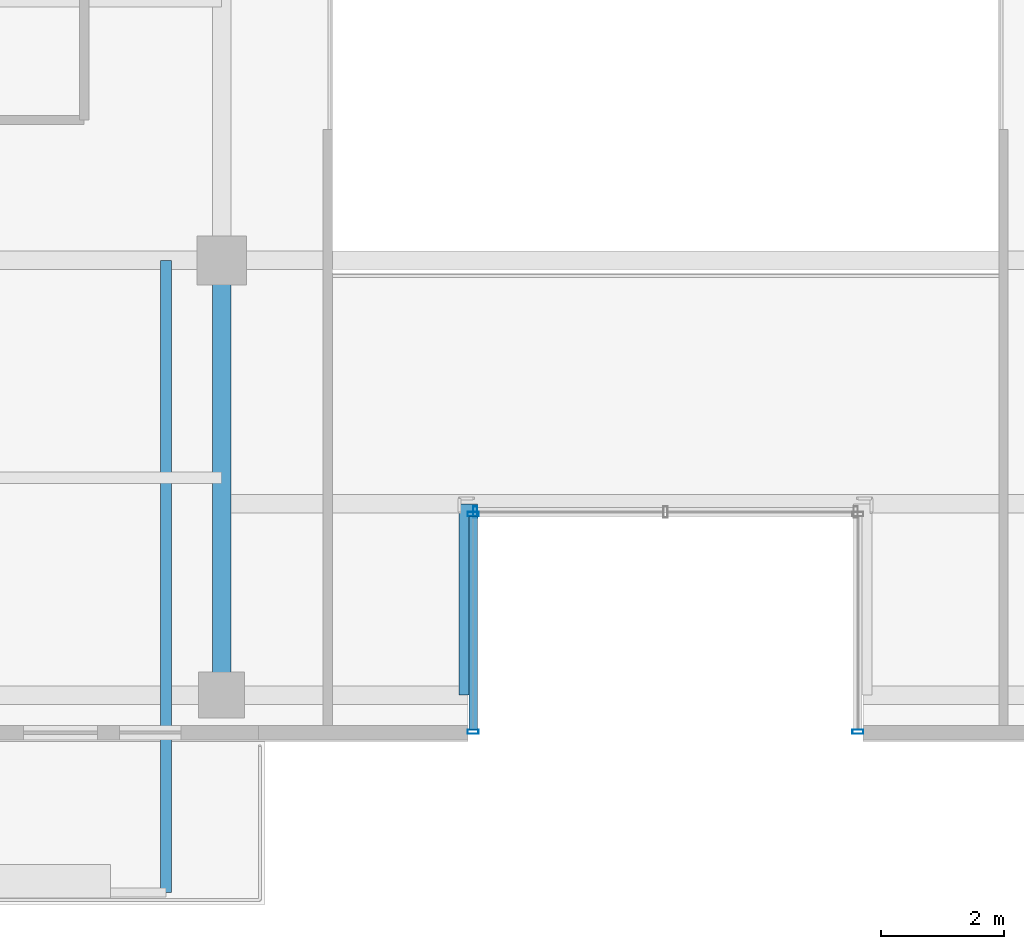
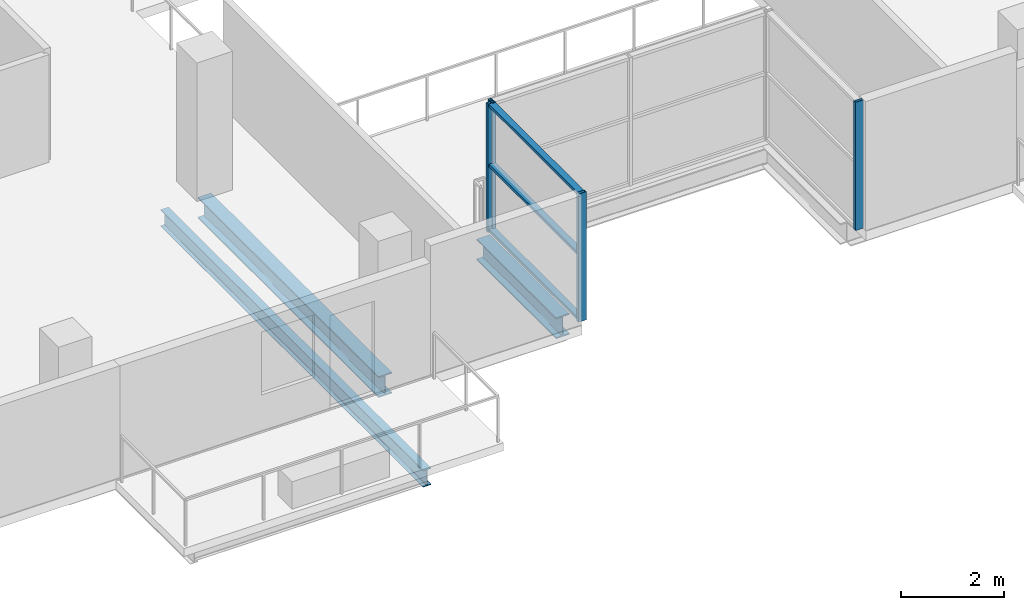
# One storey, part 6 of 25: 7 members, 3 beams, 3 elements without a shape of their own.
"""IFC4 building model written with IfcOpenShell, lengths in metres."""

from ifc_helpers import new_model, si_unit, direction, frame, origin, origin_2d, place, context, subcontext, project, spatial, hollow_rectangle, i_section, extrude, source, transform, mapped, material, layer, layer_set, material_profile, profile_set, type_object, element, aggregate, save


model = new_model("IFC4")

# Units and contexts
model_context = context("Model", 3, precision=1e-05, world=origin(), true_north=direction((0.0, 1.0)))
body_context = subcontext(model_context, "Body", "Model", "MODEL_VIEW")
ifc_project = project(units=[si_unit("LENGTHUNIT", "METRE"), si_unit("AREAUNIT", "SQUARE_METRE"), si_unit("VOLUMEUNIT", "CUBIC_METRE"), si_unit("PLANEANGLEUNIT", "RADIAN"), si_unit("MASSUNIT", "GRAM", prefix="KILO")], contexts=[model_context])

# Site, building, storey
site_placement = place(None, origin())
site = spatial("IfcSite", under=ifc_project, at=site_placement, CompositionType="ELEMENT")
building_placement = place(site_placement, origin())
building = spatial("IfcBuilding", under=site, at=building_placement, Name="Zarnakvel Exchange Tower", CompositionType="ELEMENT")
storey_placement = place(building_placement, frame((0.0, 0.0, 162.699951171875)))
storey = spatial("IfcBuildingStorey", under=building, at=storey_placement, Name="L45", CompositionType="ELEMENT", Elevation=162.699951171875)

# Beams
ifc_material_1 = material(Name="Steel S355", Category="steel")
ifc_material_profile_1 = material_profile(ifc_material_1, i_section(OverallWidth=0.179931640625, OverallDepth=0.39990234375, WebThickness=0.008544921875, FlangeThickness=0.013427734375, FilletRadius=0.02099609375, at=origin_2d()))
ifc_profile_set_1 = profile_set([ifc_material_profile_1], Name="Steel S355")
beam_type_1 = type_object("IfcBeamType", Name="B-06", PredefinedType="JOIST", material=ifc_profile_set_1)
beam_1_placement = place(storey_placement, frame((-8.10009765625, -9.60009765625, -0.425048828125), z_axis=(0.0, -1.0, 0.0), x_axis=(1.0, 0.0, 0.0)))
element("IfcBeam", 1, at=beam_1_placement, inside=storey, type_object=beam_type_1, Name="L45 Continuous Back-Spanned Balcony Beam E", PredefinedType="JOIST", context=body_context, shape_type="SweptSolid", body=[
    extrude(i_section(OverallWidth=0.179931640625, OverallDepth=0.39990234375, WebThickness=0.008544921875, FlangeThickness=0.013427734375, FilletRadius=0.02099609375, at=origin_2d()), origin(), (0.0, 0.0, 1.0), 10.25),
])
ifc_material_profile_2 = material_profile(ifc_material_1, i_section(OverallWidth=0.300048828125, OverallDepth=0.5, WebThickness=0.014404296875, FlangeThickness=0.028076171875, FilletRadius=0.027099609375, at=origin_2d()))
ifc_profile_set_2 = profile_set([ifc_material_profile_2], Name="Steel S355")
beam_type_2 = type_object("IfcBeamType", Name="G-06", PredefinedType="BEAM", material=ifc_profile_set_2)
beam_2_placement = place(storey_placement, frame((-3.199951171875, -16.64990234375, -0.474853515625), z_axis=(0.0, 1.0, 0.0), x_axis=(-1.0, 0.0, 0.0)))
element("IfcBeam", 2, at=beam_2_placement, inside=storey, type_object=beam_type_2, Name="L45 South Slot West Cheek Beam", PredefinedType="BEAM", context=body_context, shape_type="SweptSolid", body=[
    extrude(i_section(OverallWidth=0.300048828125, OverallDepth=0.5, WebThickness=0.014404296875, FlangeThickness=0.028076171875, FilletRadius=0.027099609375, at=origin_2d()), origin(), (0.0, 0.0, 1.0), 3.099853515625),
])
beam_3_placement = place(storey_placement, frame((-7.199951171875, -16.64990234375, -0.474853515625), z_axis=(0.0, 1.0, 0.0), x_axis=(-1.0, 0.0, 0.0)))
element("IfcBeam", 3, at=beam_3_placement, inside=storey, type_object=beam_type_2, Name="L45 Tower N-S Frame Beam", PredefinedType="BEAM", context=body_context, shape_type="SweptSolid", body=[
    extrude(i_section(OverallWidth=0.300048828125, OverallDepth=0.5, WebThickness=0.014404296875, FlangeThickness=0.028076171875, FilletRadius=0.027099609375, at=origin_2d()), origin(), (0.0, 0.0, 1.0), 7.0498046875),
])

# Curtain wall, members
ifc_material_2 = material(Name="Architectural Bronze Anodised Aluminium", Category="aluminium")
ifc_layer = layer(ifc_material_2, 0.179931640625)
ifc_layer_set = layer_set([ifc_layer], Name="Architectural Bronze Anodised Aluminium")
curtain_wall_type = type_object("IfcCurtainWallType", Name="CW-05", PredefinedType="NOTDEFINED", material=ifc_layer_set)
curtain_wall_1_placement = place(storey_placement, origin())
curtain_wall_1 = element("IfcCurtainWall", 4, at=curtain_wall_1_placement, inside=storey, type_object=curtain_wall_type, Name="L45 Curtain Wall CW-L45-SLW (CW-05)", PredefinedType="NOTDEFINED")
ifc_material_profile_3 = material_profile(ifc_material_2, hollow_rectangle(XDim=0.139892578125, YDim=0.070068359375, WallThickness=0.00390625, at=origin_2d()))
ifc_profile_set_3 = profile_set([ifc_material_profile_3], Name="Architectural Bronze Anodised Aluminium")
member_type_1 = type_object("IfcMemberType", Name="CWT-05", PredefinedType="USERDEFINED", material=ifc_profile_set_3)
shared_shape_1 = source(origin(), body_context, "Body", "SweptSolid", [
    extrude(hollow_rectangle(XDim=0.139892578125, YDim=0.070068359375, WallThickness=0.00390625, at=origin_2d()), origin(), (0.0, 0.0, 1.0), 3.4599609375),
])
member_1_placement = place(storey_placement, frame((-3.1201171875, -17.2099609375, 0.03515625), z_axis=(0.0, 1.0, 0.0), x_axis=(-1.0, 0.0, 0.0)))
member_1 = element("IfcMember", 5, at=member_1_placement, type_object=member_type_1, Name="CW-05 transom 1.1", ObjectType="TRANSOM", PredefinedType="USERDEFINED", context=body_context, shape_type="MappedRepresentation", body=[
    mapped(shared_shape_1, transform((0.0, 0.0, 0.0), x_axis=(1.0, 0.0, 0.0), y_axis=(0.0, 1.0, 0.0), z_axis=(0.0, 0.0, 1.0), scale=1.0)),
])
member_2_placement = place(storey_placement, frame((-3.1201171875, -17.2099609375, 1.588623046875), z_axis=(0.0, 1.0, 0.0), x_axis=(-1.0, 0.0, 0.0)))
member_2 = element("IfcMember", 6, at=member_2_placement, type_object=member_type_1, Name="CW-05 transom 1.2", ObjectType="TRANSOM", PredefinedType="USERDEFINED", context=body_context, shape_type="MappedRepresentation", body=[
    mapped(shared_shape_1, transform((0.0, 0.0, 0.0), x_axis=(1.0, 0.0, 0.0), y_axis=(0.0, 1.0, 0.0), z_axis=(0.0, 0.0, 1.0), scale=1.0)),
])
member_3_placement = place(storey_placement, frame((-3.1201171875, -17.2099609375, 3.02001953125), z_axis=(0.0, 1.0, 0.0), x_axis=(-1.0, 0.0, 0.0)))
member_3 = element("IfcMember", 7, at=member_3_placement, type_object=member_type_1, Name="CW-05 transom 1.3", ObjectType="TRANSOM", PredefinedType="USERDEFINED", context=body_context, shape_type="MappedRepresentation", body=[
    mapped(shared_shape_1, transform((0.0, 0.0, 0.0), x_axis=(1.0, 0.0, 0.0), y_axis=(0.0, 1.0, 0.0), z_axis=(0.0, 0.0, 1.0), scale=1.0)),
])
ifc_material_profile_4 = material_profile(ifc_material_2, hollow_rectangle(XDim=0.179931640625, YDim=0.070068359375, WallThickness=0.00390625, at=origin_2d()))
ifc_profile_set_4 = profile_set([ifc_material_profile_4], Name="Architectural Bronze Anodised Aluminium")
member_type_2 = type_object("IfcMemberType", Name="CWM-05", PredefinedType="MULLION", material=ifc_profile_set_4)
shared_shape_2 = source(origin(), body_context, "Body", "SweptSolid", [
    extrude(hollow_rectangle(XDim=0.179931640625, YDim=0.070068359375, WallThickness=0.00390625, at=origin_2d()), origin(), (0.0, 0.0, 1.0), 3.054931640625),
])
member_4_placement = place(storey_placement, frame((-3.1201171875, -17.2451171875, 0.0), z_axis=(0.0, 0.0, 1.0), x_axis=(-1.0, 0.0, 0.0)))
member_4 = element("IfcMember", 8, at=member_4_placement, type_object=member_type_2, Name="CW-05 mullion 1", PredefinedType="MULLION", context=body_context, shape_type="MappedRepresentation", body=[
    mapped(shared_shape_2, transform((0.0, 0.0, 0.0), x_axis=(1.0, 0.0, 0.0), y_axis=(0.0, 1.0, 0.0), z_axis=(0.0, 0.0, 1.0), scale=1.0)),
])
member_5_placement = place(storey_placement, frame((-3.1201171875, -13.715087890625, 0.0), z_axis=(0.0, 0.0, 1.0), x_axis=(-1.0, 0.0, 0.0)))
member_5 = element("IfcMember", 9, at=member_5_placement, type_object=member_type_2, Name="CW-05 mullion 2", PredefinedType="MULLION", context=body_context, shape_type="MappedRepresentation", body=[
    mapped(shared_shape_2, transform((0.0, 0.0, 0.0), x_axis=(1.0, 0.0, 0.0), y_axis=(0.0, 1.0, 0.0), z_axis=(0.0, 0.0, 1.0), scale=1.0)),
])
aggregate(curtain_wall_1, [member_4, member_5, member_1, member_2, member_3])

# Curtain wall, member
curtain_wall_2_placement = place(storey_placement, origin())
curtain_wall_2 = element("IfcCurtainWall", 10, at=curtain_wall_2_placement, inside=storey, type_object=curtain_wall_type, Name="L45 Curtain Wall CW-L45-SLB (CW-05)", PredefinedType="NOTDEFINED")
member_6_placement = place(storey_placement, frame((-3.0849609375, -13.679931640625, 0.0), z_axis=(0.0, 0.0, 1.0), x_axis=(0.0, 1.0, 0.0)))
member_6 = element("IfcMember", 11, at=member_6_placement, type_object=member_type_2, Name="CW-05 mullion 1", PredefinedType="MULLION", context=body_context, shape_type="MappedRepresentation", body=[
    mapped(shared_shape_2, transform((0.0, 0.0, 0.0), x_axis=(1.0, 0.0, 0.0), y_axis=(0.0, 1.0, 0.0), z_axis=(0.0, 0.0, 1.0), scale=1.0)),
])
aggregate(curtain_wall_2, [member_6])

curtain_wall_3_placement = place(storey_placement, origin())
curtain_wall_3 = element("IfcCurtainWall", 12, at=curtain_wall_3_placement, inside=storey, type_object=curtain_wall_type, Name="L45 Curtain Wall CW-L45-SLE (CW-05)", PredefinedType="NOTDEFINED")
member_7_placement = place(storey_placement, frame((3.1201171875, -17.2451171875, 0.0), z_axis=(0.0, 0.0, 1.0), x_axis=(1.0, 0.0, 0.0)))
member_7 = element("IfcMember", 13, at=member_7_placement, type_object=member_type_2, Name="CW-05 mullion 2", PredefinedType="MULLION", context=body_context, shape_type="MappedRepresentation", body=[
    mapped(shared_shape_2, transform((0.0, 0.0, 0.0), x_axis=(1.0, 0.0, 0.0), y_axis=(0.0, 1.0, 0.0), z_axis=(0.0, 0.0, 1.0), scale=1.0)),
])
aggregate(curtain_wall_3, [member_7])

save(model, "model.ifc")
